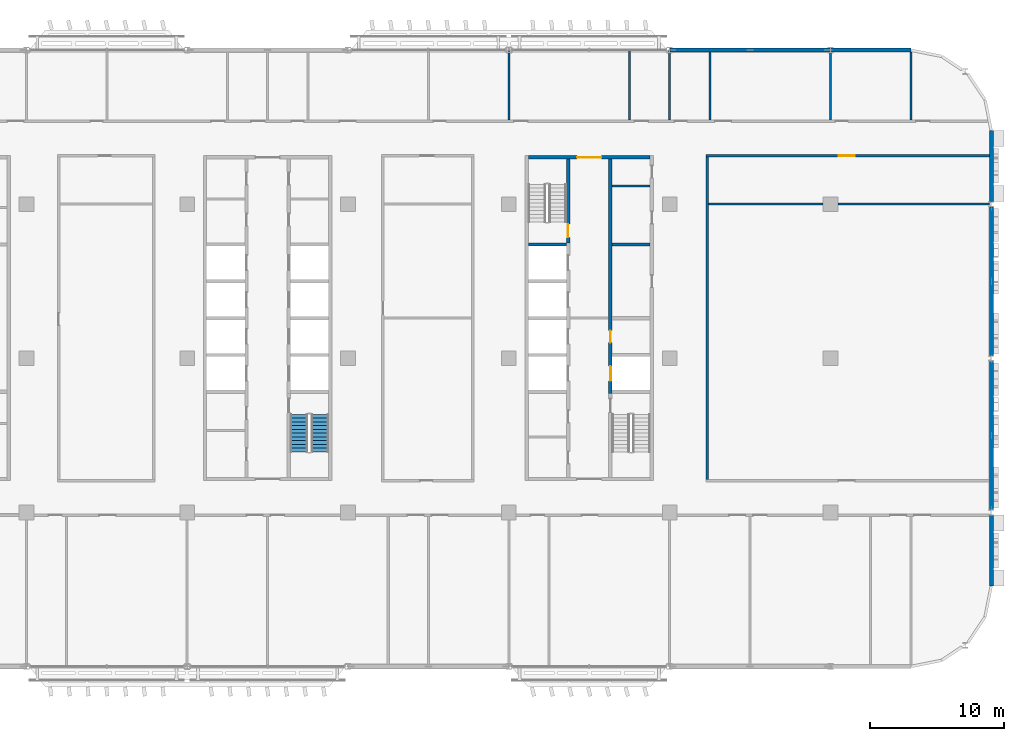
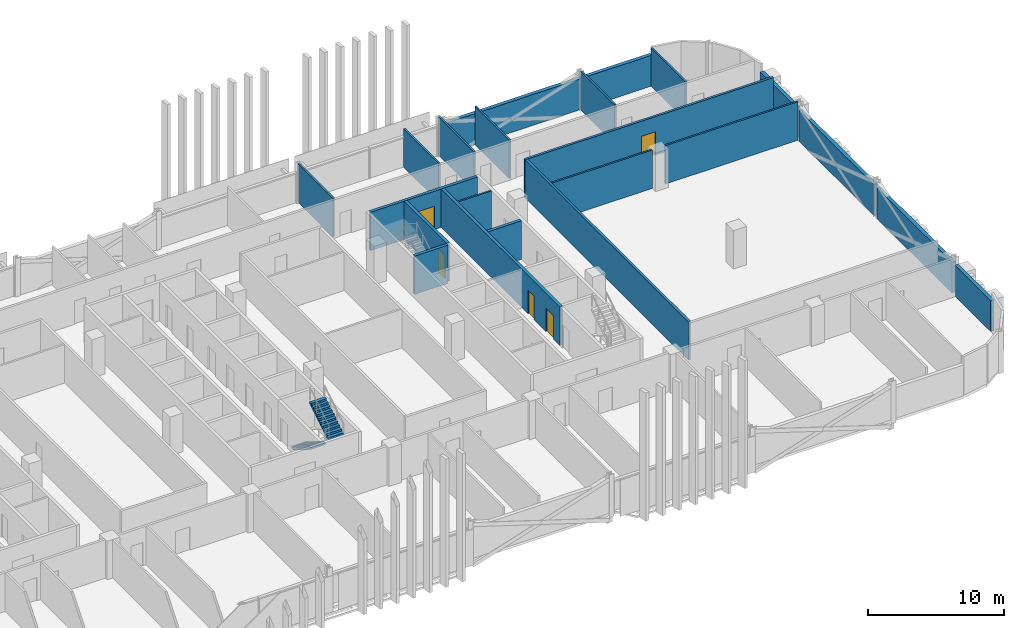
# One storey, part 14 of 28: 22 walls, 5 doors, 2 stair flights, 5 openings, 1 element without a shape of its own.
"""IFC4 building model written with IfcOpenShell, lengths in metres."""

from ifc_helpers import new_model, si_unit, direction, frame, frame_2d, origin, place, context, subcontext, project, spatial, polyline, rectangle, outline, extrude, material, layer, layer_set, type_object, element, fill, aggregate, save


model = new_model("IFC4")

# Units and contexts
model_context = context("Model", 3, precision=1e-05, world=origin(), true_north=direction((0.0, 1.0)))
body_context = subcontext(model_context, "Body", "Model", "MODEL_VIEW")
ifc_project = project(units=[si_unit("LENGTHUNIT", "METRE"), si_unit("AREAUNIT", "SQUARE_METRE"), si_unit("VOLUMEUNIT", "CUBIC_METRE"), si_unit("PLANEANGLEUNIT", "RADIAN"), si_unit("MASSUNIT", "GRAM", prefix="KILO")], contexts=[model_context])

# Site, building, storey
site_placement = place(None, origin())
site = spatial("IfcSite", under=ifc_project, at=site_placement, CompositionType="ELEMENT")
building_placement = place(site_placement, origin())
building = spatial("IfcBuilding", under=site, at=building_placement, Name="Mahtab Terrace Research Tower", CompositionType="ELEMENT")
storey_placement = place(building_placement, frame((0.0, 0.0, 193.89990234375)))
storey = spatial("IfcBuildingStorey", under=building, at=storey_placement, Name="L46", CompositionType="ELEMENT", Elevation=193.89990234375)

# Wall
ifc_material_1 = material(Name="Gypsum board partition")
ifc_layer_1 = layer(ifc_material_1, 0.14990234375)
ifc_layer_set_1 = layer_set([ifc_layer_1], Name="Core partition 150")
wall_type_1 = type_object("IfcWallType", Name="Core partition 150", PredefinedType="PARTITIONING", material=ifc_layer_set_1)
wall_1_placement = place(storey_placement, frame((25.699951171875, 12.875, 0.0), z_axis=(0.0, 0.0, 1.0), x_axis=(1.0, 0.0, 0.0)))
element("IfcWall", 1, at=wall_1_placement, inside=storey, type_object=wall_type_1, Name="Core wall C pEN988", PredefinedType="PARTITIONING", context=body_context, shape_type="SweptSolid", body=[
    extrude(rectangle(XDim=2.85009765625, YDim=0.14990234375, at=frame_2d((1.425048828125, 0.0))), origin(), (0.0, 0.0, 1.0), 3.460205078125),
])

# Wall, opening, door
ifc_material_2 = material(Name="Concrete C70/85", Category="concrete")
ifc_layer_2 = layer(ifc_material_2, 0.25)
ifc_layer_set_2 = layer_set([ifc_layer_2], Name="Core wall 250")
wall_type_2 = type_object("IfcWallType", Name="Core wall 250", PredefinedType="SOLIDWALL", material=ifc_layer_set_2)
wall_2_placement = place(storey_placement, frame((19.449951171875, 15.0, 0.0), z_axis=(0.0, 0.0, 1.0), x_axis=(1.0, 0.0, 0.0)))
wall_2 = element("IfcWall", 2, at=wall_2_placement, inside=storey, type_object=wall_type_2, Name="Core wall C endN", PredefinedType="SOLIDWALL", context=body_context, shape_type="SweptSolid", body=[
    extrude(rectangle(XDim=9.10009765625, YDim=0.25, at=frame_2d((4.550048828125, 0.0))), origin(), (0.0, 0.0, 1.0), 3.460205078125),
])
opening_1_placement = place(wall_2_placement, frame((3.64990234375, 0.0, 0.0)))
opening_1 = element("IfcOpeningElement", 3, at=opening_1_placement, cuts=wall_2, Name="Opening C-N1", PredefinedType="OPENING", context=body_context, shape_type="SweptSolid", body=[
    extrude(rectangle(XDim=1.800048828125, YDim=2.10009765625, at=frame_2d((0.89990234375, 1.050048828125))), frame((0.0, 0.135009765625, 0.0), z_axis=(0.0, -1.0, 0.0), x_axis=(1.0, 0.0, 0.0)), (0.0, 0.0, 1.0), 0.27001953125),
])
ifc_material_3 = material(Name="Steel fire door", Category="steel")
door_type_1 = type_object("IfcDoorType", Name="Lobby double door 1800x2100 1 HR", OperationType="DOUBLE_DOOR_SINGLE_SWING", PredefinedType="DOOR", material=ifc_material_3)
door_1_placement = place(opening_1_placement, origin())
door_1 = element("IfcDoor", 4, at=door_1_placement, inside=storey, type_object=door_type_1, Name="Core entrance door C N", OperationType="DOUBLE_DOOR_SINGLE_SWING", OverallHeight=2.10009765625, OverallWidth=1.800048828125, PredefinedType="DOOR", context=body_context, shape_type="SweptSolid", body=[
    extrude(rectangle(XDim=1.800048828125, YDim=2.10009765625, at=frame_2d((0.89990234375, 1.050048828125))), frame((0.0, 0.02490234375, 0.0), z_axis=(0.0, -1.0, 0.0), x_axis=(1.0, 0.0, 0.0)), (0.0, 0.0, 1.0), 0.050048828125),
])
fill(opening_1, door_1)

wall_3_placement = place(storey_placement, frame((22.425048828125, 14.875, 0.0), z_axis=(0.0, 0.0, 1.0), x_axis=(0.0, -1.0, 0.0)))
wall_3 = element("IfcWall", 5, at=wall_3_placement, inside=storey, type_object=wall_type_2, Name="Core wall C innerWN", PredefinedType="SOLIDWALL", context=body_context, shape_type="SweptSolid", body=[
    extrude(rectangle(XDim=6.25, YDim=0.25, at=frame_2d((3.125, 0.0))), origin(), (0.0, 0.0, 1.0), 3.460205078125),
])
opening_2_placement = place(wall_3_placement, frame((4.85009765625, 0.0, 0.0)))
opening_2 = element("IfcOpeningElement", 6, at=opening_2_placement, cuts=wall_3, Name="Opening C-ST3", PredefinedType="OPENING", context=body_context, shape_type="SweptSolid", body=[
    extrude(rectangle(XDim=1.0, YDim=2.10009765625, at=frame_2d((0.5, 1.050048828125))), frame((0.0, 0.135009765625, 0.0), z_axis=(0.0, -1.0, 0.0), x_axis=(1.0, 0.0, 0.0)), (0.0, 0.0, 1.0), 0.27001953125),
])
door_type_2 = type_object("IfcDoorType", Name="Stair door 1000x2100 1.5 HR", OperationType="NOTDEFINED", PredefinedType="DOOR", material=ifc_material_3)
door_2_placement = place(opening_2_placement, origin())
door_2 = element("IfcDoor", 7, at=door_2_placement, inside=storey, type_object=door_type_2, Name="Stair door ST3 L46", OperationType="SINGLE_SWING_LEFT", OverallHeight=2.10009765625, OverallWidth=1.0, PredefinedType="DOOR", context=body_context, shape_type="SweptSolid", body=[
    extrude(rectangle(XDim=1.0, YDim=2.10009765625, at=frame_2d((0.5, 1.050048828125))), frame((0.0, 0.02490234375, 0.0), z_axis=(0.0, -1.0, 0.0), x_axis=(1.0, 0.0, 0.0)), (0.0, 0.0, 1.0), 0.050048828125),
])
fill(opening_2, door_2)

# Wall, openings, doors
wall_4_placement = place(storey_placement, frame((25.574951171875, 14.875, 0.0), z_axis=(0.0, 0.0, 1.0), x_axis=(0.0, -1.0, 0.0)))
wall_4 = element("IfcWall", 8, at=wall_4_placement, inside=storey, type_object=wall_type_2, Name="Core wall C innerELN", PredefinedType="SOLIDWALL", context=body_context, shape_type="SweptSolid", body=[
    extrude(rectangle(XDim=17.5, YDim=0.25, at=frame_2d((8.75, 0.0))), origin(), (0.0, 0.0, 1.0), 3.460205078125),
])
opening_3_placement = place(wall_4_placement, frame((15.449951171875, 0.0, 0.0)))
opening_3 = element("IfcOpeningElement", 9, at=opening_3_placement, cuts=wall_4, Name="Opening LD21-L46", PredefinedType="OPENING", context=body_context, shape_type="SweptSolid", body=[
    extrude(rectangle(XDim=1.10009765625, YDim=2.10009765625, at=frame_2d((0.550048828125, 1.050048828125))), frame((0.0, 0.135009765625, 0.0), z_axis=(0.0, -1.0, 0.0), x_axis=(1.0, 0.0, 0.0)), (0.0, 0.0, 1.0), 0.27001953125),
])
opening_4_placement = place(wall_4_placement, frame((12.800048828125, 0.0, 0.0)))
opening_4 = element("IfcOpeningElement", 10, at=opening_4_placement, cuts=wall_4, Name="Opening C-R1", PredefinedType="OPENING", context=body_context, shape_type="SweptSolid", body=[
    extrude(rectangle(XDim=0.89990234375, YDim=2.10009765625, at=frame_2d((0.449951171875, 1.050048828125))), frame((0.0, 0.135009765625, 0.0), z_axis=(0.0, -1.0, 0.0), x_axis=(1.0, 0.0, 0.0)), (0.0, 0.0, 1.0), 0.27001953125),
])
ifc_material_4 = material(Name="Stainless steel AISI 304", Category="steel")
door_type_3 = type_object("IfcDoorType", Name="Landing door 1100x2100", OperationType="DOUBLE_DOOR_SLIDING", PredefinedType="DOOR", material=ifc_material_4)
door_3_placement = place(opening_3_placement, origin())
door_3 = element("IfcDoor", 11, at=door_3_placement, inside=storey, type_object=door_type_3, Name="Landing door SV3 L46", OperationType="DOUBLE_DOOR_SLIDING", OverallHeight=2.10009765625, OverallWidth=1.10009765625, PredefinedType="DOOR", context=body_context, shape_type="SweptSolid", body=[
    extrude(rectangle(XDim=1.10009765625, YDim=2.10009765625, at=frame_2d((0.550048828125, 1.050048828125))), frame((0.0, 0.02490234375, 0.0), z_axis=(0.0, -1.0, 0.0), x_axis=(1.0, 0.0, 0.0)), (0.0, 0.0, 1.0), 0.050048828125),
])
fill(opening_3, door_3)
door_type_4 = type_object("IfcDoorType", Name="Room door 900x2100 1 HR", OperationType="NOTDEFINED", PredefinedType="DOOR", material=ifc_material_3)
door_4_placement = place(opening_4_placement, origin())
door_4 = element("IfcDoor", 12, at=door_4_placement, inside=storey, type_object=door_type_4, Name="Plant room door", OperationType="SINGLE_SWING_LEFT", OverallHeight=2.10009765625, OverallWidth=0.89990234375, PredefinedType="DOOR", context=body_context, shape_type="SweptSolid", body=[
    extrude(rectangle(XDim=0.89990234375, YDim=2.10009765625, at=frame_2d((0.449951171875, 1.050048828125))), frame((0.0, 0.02490234375, 0.0), z_axis=(0.0, -1.0, 0.0), x_axis=(1.0, 0.0, 0.0)), (0.0, 0.0, 1.0), 0.050048828125),
])
fill(opening_4, door_4)

# Walls
for number, where, z_axis, x_axis, name in (
    (13, (19.449951171875, 8.5, 0.0), (0.0, 0.0, 1.0), (1.0, 0.0, 0.0), "Core wall C divW4"),
    (14, (25.699951171875, 8.5, 0.0), (0.0, 0.0, 1.0), (1.0, 0.0, 0.0), "Core wall C divE4"),
):
    element("IfcWall", number, at=place(storey_placement, frame(where, z_axis=z_axis, x_axis=x_axis)), inside=storey, type_object=wall_type_2, Name=name, PredefinedType="SOLIDWALL", context=body_context, shape_type="SweptSolid", body=[
        extrude(rectangle(XDim=2.85009765625, YDim=0.25, at=frame_2d((1.425048828125, 0.0))), origin(), (0.0, 0.0, 1.0), 3.460205078125),
    ])
ifc_material_5 = material(Name="Black aluminium cladding panel", Category="aluminium")
ifc_layer_3 = layer(ifc_material_5, 0.300048828125)
ifc_layer_set_3 = layer_set([ifc_layer_3], Name="Opaque facade wall 300")
wall_type_3 = type_object("IfcWallType", Name="Opaque facade wall 300", PredefinedType="NOTDEFINED", material=ifc_layer_set_3)
wall_5_placement = place(storey_placement, frame((48.0, 23.0, 0.0), z_axis=(0.0, 0.0, 1.0), x_axis=(-1.0, 0.0, 0.0)))
element("IfcWall", 15, at=wall_5_placement, inside=storey, type_object=wall_type_3, Name="Opaque facade wall L46 N3", PredefinedType="NOTDEFINED", context=body_context, shape_type="SweptSolid", body=[
    extrude(rectangle(XDim=5.987548828125, YDim=0.300048828125, at=frame_2d((2.99365234375, 0.0))), origin(), (0.0, 0.0, 1.0), 2.781982421875),
])
wall_6_placement = place(storey_placement, frame((41.987548828125, 23.0, 0.0), z_axis=(0.0, 0.0, 1.0), x_axis=(-1.0, 0.0, 0.0)))
element("IfcWall", 16, at=wall_6_placement, inside=storey, type_object=wall_type_3, Name="Opaque facade wall L46 N4", PredefinedType="NOTDEFINED", context=body_context, shape_type="SweptSolid", body=[
    extrude(rectangle(XDim=11.97509765625, YDim=0.300048828125, at=frame_2d((5.987548828125, 0.0))), origin(), (0.0, 0.0, 1.0), 2.781982421875),
])
wall_7_placement = place(storey_placement, frame((54.0, -17.0, 0.0), z_axis=(0.0, 0.0, 1.0), x_axis=(0.0, 1.0, 0.0)))
element("IfcWall", 17, at=wall_7_placement, inside=storey, type_object=wall_type_3, Name="Opaque facade wall L46 E35", PredefinedType="NOTDEFINED", context=body_context, shape_type="SweptSolid", body=[
    extrude(rectangle(XDim=5.300048828125, YDim=0.300048828125, at=frame_2d((2.64990234375, 0.0))), origin(), (0.0, 0.0, 1.0), 2.781982421875),
])
for number, where, z_axis, x_axis, name in (
    (18, (54.0, -11.300048828125, 0.0), (0.0, 0.0, 1.0), (0.0, 1.0, 0.0), "Opaque facade wall L46 E36"),
    (19, (54.0, 0.199951171875, 0.0), (0.0, 0.0, 1.0), (0.0, 1.0, 0.0), "Opaque facade wall L46 E37"),
):
    element("IfcWall", number, at=place(storey_placement, frame(where, z_axis=z_axis, x_axis=x_axis)), inside=storey, type_object=wall_type_3, Name=name, PredefinedType="NOTDEFINED", context=body_context, shape_type="SweptSolid", body=[
        extrude(rectangle(XDim=11.10009765625, YDim=0.300048828125, at=frame_2d((5.550048828125, 0.0))), origin(), (0.0, 0.0, 1.0), 2.781982421875),
    ])
wall_8_placement = place(storey_placement, frame((54.0, 11.699951171875, 0.0), z_axis=(0.0, 0.0, 1.0), x_axis=(0.0, 1.0, 0.0)))
element("IfcWall", 20, at=wall_8_placement, inside=storey, type_object=wall_type_3, Name="Opaque facade wall L46 E38", PredefinedType="NOTDEFINED", context=body_context, shape_type="SweptSolid", body=[
    extrude(rectangle(XDim=5.300048828125, YDim=0.300048828125, at=frame_2d((2.64990234375, 0.0))), origin(), (0.0, 0.0, 1.0), 2.781982421875),
])

# Wall, opening, door
ifc_material_6 = material(Name="Gypsum board corridor wall on steel studs", Category="steel")
ifc_layer_4 = layer(ifc_material_6, 0.199951171875)
ifc_layer_set_4 = layer_set([ifc_layer_4], Name="WALL CORRIDOR 200")
wall_type_4 = type_object("IfcWallType", Name="WALL CORRIDOR 200", PredefinedType="PARTITIONING", material=ifc_layer_set_4)
wall_9_placement = place(storey_placement, frame((32.699951171875, 15.125, 0.0), z_axis=(0.0, 0.0, 1.0), x_axis=(1.0, 0.0, 0.0)))
wall_9 = element("IfcWall", 21, at=wall_9_placement, inside=storey, type_object=wall_type_4, Name="L46-W023", PredefinedType="PARTITIONING", context=body_context, shape_type="SweptSolid", body=[
    extrude(rectangle(XDim=21.150146484375, YDim=0.199951171875, at=frame_2d((10.5751953125, 0.0))), origin(), (0.0, 0.0, 1.0), 3.460205078125),
])
opening_5_placement = place(wall_9_placement, frame((9.89990234375, 0.0, 0.0)))
opening_5 = element("IfcOpeningElement", 22, at=opening_5_placement, cuts=wall_9, Name="Opening L46-126", PredefinedType="OPENING", context=body_context, shape_type="SweptSolid", body=[
    extrude(rectangle(XDim=1.199951171875, YDim=2.10009765625, at=frame_2d((0.60009765625, 1.050048828125))), frame((0.0, 0.10986328125, 0.0), z_axis=(0.0, -1.0, 0.0), x_axis=(1.0, 0.0, 0.0)), (0.0, 0.0, 1.0), 0.219970703125),
])
ifc_material_7 = material(Name="Timber door leaf in steel frame", Category="steel")
door_type_5 = type_object("IfcDoorType", Name="DOOR 1200X2100 FD30S", OperationType="SINGLE_SWING_LEFT", PredefinedType="DOOR", material=ifc_material_7)
door_5_placement = place(opening_5_placement, origin())
door_5 = element("IfcDoor", 23, at=door_5_placement, inside=storey, type_object=door_type_5, Name="Door L46-126", OperationType="SINGLE_SWING_RIGHT", OverallHeight=2.10009765625, OverallWidth=1.199951171875, PredefinedType="DOOR", context=body_context, shape_type="SweptSolid", body=[
    extrude(rectangle(XDim=1.199951171875, YDim=2.10009765625, at=frame_2d((0.60009765625, 1.050048828125))), frame((0.0, 0.02490234375, 0.0), z_axis=(0.0, -1.0, 0.0), x_axis=(1.0, 0.0, 0.0)), (0.0, 0.0, 1.0), 0.050048828125),
])
fill(opening_5, door_5)

# Walls
wall_10_placement = place(storey_placement, frame((32.800048828125, -9.02490234375, 0.0), z_axis=(0.0, 0.0, 1.0), x_axis=(0.0, 1.0, 0.0)))
element("IfcWall", 24, at=wall_10_placement, inside=storey, type_object=wall_type_4, Name="L46-W054", PredefinedType="PARTITIONING", context=body_context, shape_type="SweptSolid", body=[
    extrude(rectangle(XDim=24.0498046875, YDim=0.199951171875, at=frame_2d((12.02490234375, 0.0))), origin(), (0.0, 0.0, 1.0), 3.460205078125),
])
ifc_material_8 = material(Name="Gypsum board partition on steel studs", Category="steel")
ifc_layer_5 = layer(ifc_material_8, 0.14990234375)
ifc_layer_set_5 = layer_set([ifc_layer_5], Name="WALL PARTITION 150")
wall_type_5 = type_object("IfcWallType", Name="WALL PARTITION 150", PredefinedType="PARTITIONING", material=ifc_layer_set_5)
wall_11_placement = place(storey_placement, frame((32.89990234375, 11.5, 0.0), z_axis=(0.0, 0.0, 1.0), x_axis=(1.0, 0.0, 0.0)))
element("IfcWall", 25, at=wall_11_placement, inside=storey, type_object=wall_type_5, Name="L46-W018", PredefinedType="PARTITIONING", context=body_context, shape_type="SweptSolid", body=[
    extrude(rectangle(XDim=8.550048828125, YDim=0.14990234375, at=frame_2d((4.27490234375, 0.0))), origin(), (0.0, 0.0, 1.0), 3.460205078125),
])
wall_12_placement = place(storey_placement, frame((42.550048828125, 11.5, 0.0), z_axis=(0.0, 0.0, 1.0), x_axis=(1.0, 0.0, 0.0)))
element("IfcWall", 26, at=wall_12_placement, inside=storey, type_object=wall_type_5, Name="L46-W019", PredefinedType="PARTITIONING", context=body_context, shape_type="SweptSolid", body=[
    extrude(rectangle(XDim=11.300048828125, YDim=0.14990234375, at=frame_2d((5.64990234375, 0.0))), origin(), (0.0, 0.0, 1.0), 3.460205078125),
])
for number, where, z_axis, x_axis, name in (
    (27, (18.0, 17.800048828125, 0.0), (0.0, 0.0, 1.0), (0.0, 1.0, 0.0), "L46-W049"),
    (28, (27.0, 17.800048828125, 0.0), (0.0, 0.0, 1.0), (0.0, 1.0, 0.0), "L46-W051"),
    (29, (30.0, 17.800048828125, 0.0), (0.0, 0.0, 1.0), (0.0, 1.0, 0.0), "L46-W053"),
):
    element("IfcWall", number, at=place(storey_placement, frame(where, z_axis=z_axis, x_axis=x_axis)), inside=storey, type_object=wall_type_5, Name=name, PredefinedType="PARTITIONING", context=body_context, shape_type="SweptSolid", body=[
        extrude(rectangle(XDim=5.175048828125, YDim=0.14990234375, at=frame_2d((2.58740234375, 0.0))), origin(), (0.0, 0.0, 1.0), 3.460205078125),
    ])
for number, where, z_axis, x_axis, name in (
    (30, (33.0, 17.800048828125, 0.0), (0.0, 0.0, 1.0), (0.0, 1.0, 0.0), "L46-W055"),
    (31, (42.0, 17.800048828125, 0.0), (0.0, 0.0, 1.0), (0.0, 1.0, 0.0), "L46-W057"),
):
    element("IfcWall", number, at=place(storey_placement, frame(where, z_axis=z_axis, x_axis=x_axis)), inside=storey, type_object=wall_type_5, Name=name, PredefinedType="PARTITIONING", context=body_context, shape_type="SweptSolid", body=[
        extrude(rectangle(XDim=5.050048828125, YDim=0.14990234375, at=frame_2d((2.52490234375, 0.0))), origin(), (0.0, 0.0, 1.0), 3.460205078125),
    ])
wall_13_placement = place(storey_placement, frame((48.0, 17.800048828125, 0.0), z_axis=(0.0, 0.0, 1.0), x_axis=(0.0, 1.0, 0.0)))
element("IfcWall", 32, at=wall_13_placement, inside=storey, type_object=wall_type_5, Name="L46-W060", PredefinedType="PARTITIONING", context=body_context, shape_type="SweptSolid", body=[
    extrude(rectangle(XDim=5.047119140625, YDim=0.14990234375, at=frame_2d((2.5234375, 0.0))), origin(), (0.0, 0.0, 1.0), 3.460205078125),
])

# Stair, stair flights
ifc_material_9 = material(Name="Exit stair half-turn")
stair_type = type_object("IfcStairType", Name="Exit stair half-turn", PredefinedType="HALF_TURN_STAIR", material=ifc_material_9)
stair_placement = place(storey_placement, origin())
stair = element("IfcStair", 33, at=stair_placement, inside=storey, type_object=stair_type, Name="L46 Protected exit stair ST2", PredefinedType="HALF_TURN_STAIR")
ifc_material_10 = material(Name="Concrete C40/50", Category="concrete")
stair_flight_type = type_object("IfcStairFlightType", Name="Exit stair flight 1300", PredefinedType="STRAIGHT", material=ifc_material_10)
stair_flight_1_placement = place(storey_placement, frame((2.35009765625, -4.175048828125, 0.0), z_axis=(0.0, 0.0, 1.0), x_axis=(0.0, -1.0, 0.0)))
stair_flight_1 = element("IfcStairFlight", 34, at=stair_flight_1_placement, type_object=stair_flight_type, Name="ST2 flight 1", NumberOfRisers=11, NumberOfTreads=10, PredefinedType="STRAIGHT", RiserHeight=0.172727273, TreadLength=0.28, context=body_context, shape_type="SweptSolid", body=[
    extrude(outline(polyline([(0.0, 0.0), (0.0, 0.172607421875), (0.280029296875, 0.172607421875), (0.280029296875, 0.345458984375), (0.56005859375, 0.345458984375), (0.56005859375, 0.51806640625), (0.840087890625, 0.51806640625), (0.840087890625, 0.69091796875), (1.1201171875, 0.69091796875), (1.1201171875, 0.863525390625), (1.39990234375, 0.863525390625), (1.39990234375, 1.036376953125), (1.679931640625, 1.036376953125), (1.679931640625, 1.208984375), (1.9599609375, 1.208984375), (1.9599609375, 1.3818359375), (2.239990234375, 1.3818359375), (2.239990234375, 1.554443359375), (2.52001953125, 1.554443359375), (2.52001953125, 1.727294921875), (2.800048828125, 1.727294921875), (2.800048828125, 1.89990234375), (2.800048828125, 1.551025390625), (0.285400390625, 0.0), (0.0, 0.0)])), frame((0.0, 0.64990234375, 0.0), z_axis=(0.0, -1.0, 0.0), x_axis=(1.0, 0.0, 0.0)), (0.0, 0.0, 1.0), 1.300048828125),
])
stair_flight_2_placement = place(storey_placement, frame((3.89990234375, -6.97509765625, 1.900146484375), z_axis=(0.0, 0.0, 1.0), x_axis=(0.0, 1.0, 0.0)))
stair_flight_2 = element("IfcStairFlight", 35, at=stair_flight_2_placement, type_object=stair_flight_type, Name="ST2 flight 2", NumberOfRisers=11, NumberOfTreads=10, PredefinedType="STRAIGHT", RiserHeight=0.172727273, TreadLength=0.28, context=body_context, shape_type="SweptSolid", body=[
    extrude(outline(polyline([(0.0, 0.0), (0.0, 0.172607421875), (0.280029296875, 0.172607421875), (0.280029296875, 0.345458984375), (0.56005859375, 0.345458984375), (0.56005859375, 0.51806640625), (0.840087890625, 0.51806640625), (0.840087890625, 0.69091796875), (1.1201171875, 0.69091796875), (1.1201171875, 0.863525390625), (1.39990234375, 0.863525390625), (1.39990234375, 1.036376953125), (1.679931640625, 1.036376953125), (1.679931640625, 1.208984375), (1.9599609375, 1.208984375), (1.9599609375, 1.3818359375), (2.239990234375, 1.3818359375), (2.239990234375, 1.554443359375), (2.52001953125, 1.554443359375), (2.52001953125, 1.727294921875), (2.800048828125, 1.727294921875), (2.800048828125, 1.89990234375), (2.800048828125, 1.551025390625), (0.285400390625, 0.0), (0.0, 0.0)])), frame((0.0, 0.64990234375, 0.0), z_axis=(0.0, -1.0, 0.0), x_axis=(1.0, 0.0, 0.0)), (0.0, 0.0, 1.0), 1.300048828125),
])
aggregate(stair, [stair_flight_1, stair_flight_2])

save(model, "model.ifc")
